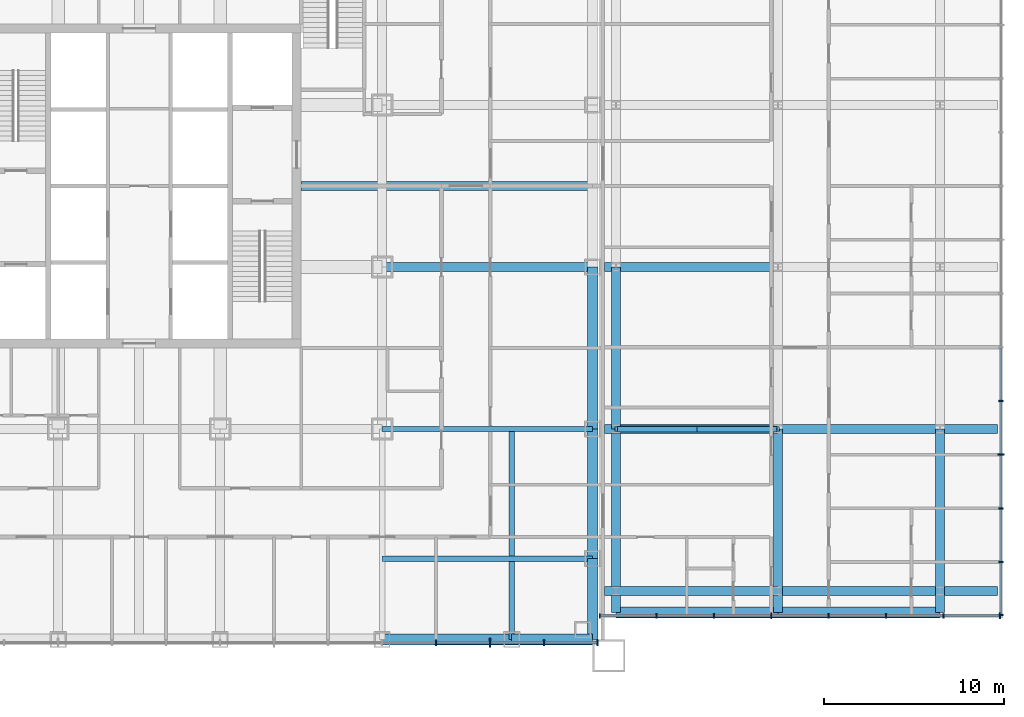
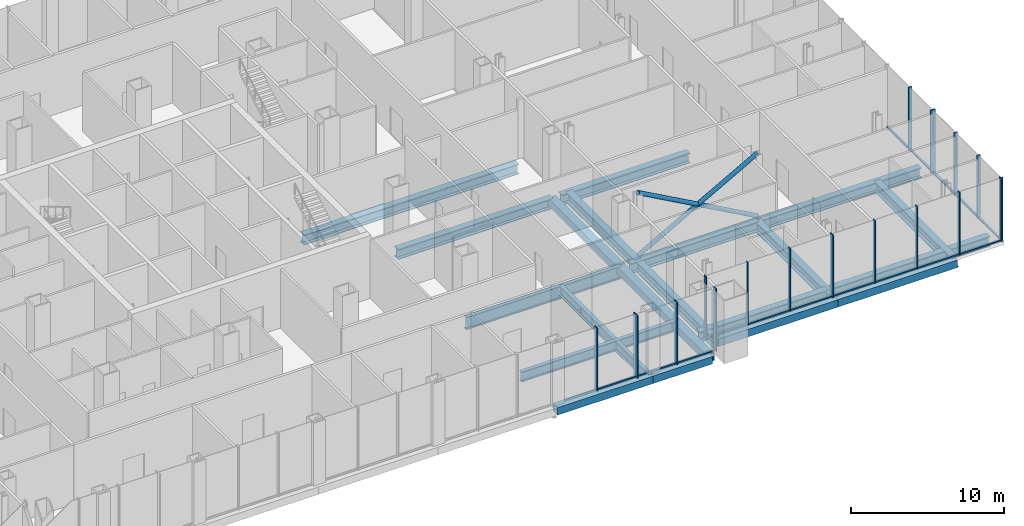
# One storey, part 7 of 25: 34 members, 21 beams, 3 elements without a shape of their own.
"""IFC4 building model written with IfcOpenShell, lengths in metres."""

import ifcopenshell
import ifcopenshell.guid

model = None  # the IFC model being written
_history = None  # IfcOwnerHistory: only IFC2X3 demands one
_inside = {}  # id of a spatial element -> (the spatial element, [elements in it])
_under = {}  # id of a project, library or spatial element -> (it, [spatial elements below it])
_declared = {}  # id of a project -> (the project, [libraries it declares])
_typed = {}  # id of a type object -> (the type object, [elements of that type])
_made_of = {}  # id of a material, layer set ... -> (it, [elements and type objects made of it])


def new_model(schema):
    """Start an empty IFC model of exactly this schema.

    Asked for "IFC4X3", IfcOpenShell would pick the latest addendum, in which some entities
    have other attributes; the version numbers below select the first issue.
    IFC2X3 requires an IfcOwnerHistory on every rooted entity: one is made here for all.
    """
    global model, _history
    if schema == "IFC4X3":
        model = ifcopenshell.file(schema_version=(4, 3, 0, 0))
    else:
        model = ifcopenshell.file(schema=schema)
    _inside.clear()
    _under.clear()
    _declared.clear()
    _typed.clear()
    _made_of.clear()
    _history = None
    if model.schema == "IFC2X3":
        org = make("IfcOrganization", Name="unknown")
        user = make(
            "IfcPersonAndOrganization",
            ThePerson=make("IfcPerson", FamilyName="unknown"),
            TheOrganization=org,
        )
        app = make(
            "IfcApplication",
            ApplicationDeveloper=org,
            Version="unknown",
            ApplicationFullName="unknown",
            ApplicationIdentifier="unknown",
        )
        _history = make(
            "IfcOwnerHistory",
            OwningUser=user,
            OwningApplication=app,
            ChangeAction="ADDED",
            CreationDate=0,
        )
    return model


def make(cls, **values):
    """One entity of the class cls with the attributes given. An attribute that is None is left unset."""
    return model.create_entity(
        cls, **{name: value for name, value in values.items() if value is not None}
    )


def rooted(cls, **values):
    """An entity with a GlobalId (a new one), such as an element, a storey or a relation."""
    return make(cls, GlobalId=ifcopenshell.guid.new(), OwnerHistory=_history, **values)


def si_unit(unit_type, name, prefix=None):
    """IfcSIUnit, for example si_unit("LENGTHUNIT", "METRE", prefix="MILLI")."""
    return make("IfcSIUnit", UnitType=unit_type, Prefix=prefix, Name=name)


def assignment(units):
    """IfcUnitAssignment: the units of a project."""
    return None if units is None else make("IfcUnitAssignment", Units=units)


def point(xyz):
    """IfcCartesianPoint."""
    return None if xyz is None else make("IfcCartesianPoint", Coordinates=xyz)


def direction(xyz):
    """IfcDirection."""
    return None if xyz is None else make("IfcDirection", DirectionRatios=xyz)


def frame(location, z_axis=None, x_axis=None):
    """IfcAxis2Placement3D, a coordinate frame: its origin and axes. An axis left out is left unset."""
    return make(
        "IfcAxis2Placement3D",
        Location=point(location),
        Axis=direction(z_axis),
        RefDirection=direction(x_axis),
    )


def frame_2d(location, x_axis=None):
    """IfcAxis2Placement2D, a coordinate frame in the plane: its origin and x axis."""
    return make(
        "IfcAxis2Placement2D", Location=point(location), RefDirection=direction(x_axis)
    )


def origin():
    """The frame at (0, 0, 0) with its axes left unset."""
    return frame((0.0, 0.0, 0.0))


def origin_2d():
    """The frame at (0, 0) in the plane with its x axis left unset."""
    return frame_2d((0.0, 0.0))


def place(relative_to, where):
    """IfcLocalPlacement: puts the frame where relative to a parent placement (None: the world)."""
    return make(
        "IfcLocalPlacement", PlacementRelTo=relative_to, RelativePlacement=where
    )


def context(
    kind, dimensions, precision=None, world=None, true_north=None, identifier=None
):
    """IfcGeometricRepresentationContext, for example the 3D "Model" context."""
    return make(
        "IfcGeometricRepresentationContext",
        ContextIdentifier=identifier,
        ContextType=kind,
        CoordinateSpaceDimension=dimensions,
        Precision=precision,
        WorldCoordinateSystem=world,
        TrueNorth=true_north,
    )


def subcontext(parent, identifier, kind, view, scale=None):
    """IfcGeometricRepresentationSubContext, for example "Body" below "Model"."""
    return make(
        "IfcGeometricRepresentationSubContext",
        ContextIdentifier=identifier,
        ContextType=kind,
        ParentContext=parent,
        TargetScale=scale,
        TargetView=view,
    )


def project(units=None, contexts=None):
    """IfcProject with its units and contexts."""
    return rooted(
        "IfcProject",
        Name="project",
        RepresentationContexts=contexts,
        UnitsInContext=assignment(units),
    )


def spatial(cls, under=None, at=None, **own):
    """A site, building, storey or space (cls), placed at a placement, below another one or the project."""
    s = rooted(cls, ObjectPlacement=at, **own)
    if under is not None:
        _under.setdefault(under.id(), (under, []))[1].append(s)
    return s


def profile(cls, at=None, kind="AREA", **sizes):
    """A parametric profile (cls). Its sizes go by their IFC names, for example OverallWidth=200.0."""
    return make(cls, ProfileType=kind, Position=at, **sizes)


def rectangle(**sizes):
    """IfcRectangleProfileDef."""
    return profile("IfcRectangleProfileDef", **sizes)


def hollow_rectangle(**sizes):
    """IfcRectangleHollowProfileDef."""
    return profile("IfcRectangleHollowProfileDef", **sizes)


def hollow_circle(**sizes):
    """IfcCircleHollowProfileDef."""
    return profile("IfcCircleHollowProfileDef", **sizes)


def i_section(**sizes):
    """IfcIShapeProfileDef."""
    return profile("IfcIShapeProfileDef", **sizes)


def extrude(swept, where, along, depth):
    """IfcExtrudedAreaSolid: the profile swept, set in the frame where, extruded along a direction by depth."""
    return make(
        "IfcExtrudedAreaSolid",
        SweptArea=swept,
        Position=where,
        ExtrudedDirection=direction(along),
        Depth=depth,
    )


def shape(context_of_items, identifier, shape_type, items):
    """IfcShapeRepresentation: the items that make up one representation, for example the "Body"."""
    return make(
        "IfcShapeRepresentation",
        ContextOfItems=context_of_items,
        RepresentationIdentifier=identifier,
        RepresentationType=shape_type,
        Items=items,
    )


def material(Name=None, Category=None):
    """IfcMaterial."""
    return make("IfcMaterial", Name=Name, Category=Category)


def layer(
    of_material, thickness, ventilated=None, Name=None, Category=None, Priority=None
):
    """IfcMaterialLayer: one layer of a wall or slab, of a material (None: an air gap)."""
    return make(
        "IfcMaterialLayer",
        Material=of_material,
        LayerThickness=thickness,
        IsVentilated=ventilated,
        Name=Name,
        Category=Category,
        Priority=Priority,
    )


def layer_set(layers, Name=None):
    """IfcMaterialLayerSet."""
    return make("IfcMaterialLayerSet", MaterialLayers=layers, LayerSetName=Name)


def material_profile(
    of_material, cross_section, Name=None, Category=None, Priority=None
):
    """IfcMaterialProfile: a cross section and its material."""
    return make(
        "IfcMaterialProfile",
        Name=Name,
        Material=of_material,
        Profile=cross_section,
        Priority=Priority,
        Category=Category,
    )


def profile_set(profiles, Name=None, composite=None):
    """IfcMaterialProfileSet."""
    return make(
        "IfcMaterialProfileSet",
        Name=Name,
        MaterialProfiles=profiles,
        CompositeProfile=composite,
    )


def made_of(thing, what):
    """Note that an element or type object is made of a material, layer set ...; save() writes the relation."""
    if what is not None:
        _made_of.setdefault(what.id(), (what, []))[1].append(thing)
    return thing


def type_object(cls, material=None, **own):
    """A type object (cls), such as IfcWallType, which elements share."""
    return made_of(rooted(cls, **own), material)


def element(
    cls,
    number,
    at=None,
    inside=None,
    cuts=None,
    type_object=None,
    material=None,
    context=None,
    identifier="Body",
    shape_type=None,
    held_by="IfcProductDefinitionShape",
    body=None,
    shapes=None,
    **own,
):
    """One element of the class cls, such as IfcWall. Its Tag is "e" and its number.

    at: its placement. inside: the storey or other place that contains it. cuts: it is an
    opening in that element (IfcRelVoidsElement). A single representation is given by context,
    identifier, shape_type and body (its items); several are given by shapes. held_by: the class
    of the entity that holds the representations. save() writes the other relations.
    """
    e = rooted(cls, Tag="e%d" % number, ObjectPlacement=at, **own)
    if body is not None:
        shapes = [shape(context, identifier, shape_type, body)]
    if shapes is not None:
        e.Representation = make(held_by, Representations=shapes)
    if inside is not None:
        _inside.setdefault(inside.id(), (inside, []))[1].append(e)
    if cuts is not None:
        rooted(
            "IfcRelVoidsElement", RelatingBuildingElement=cuts, RelatedOpeningElement=e
        )
    if type_object is not None:
        _typed.setdefault(type_object.id(), (type_object, []))[1].append(e)
    return made_of(e, material)


def aggregate(whole, parts):
    """IfcRelAggregates: a whole, such as a stair, and the parts it consists of."""
    return rooted("IfcRelAggregates", RelatingObject=whole, RelatedObjects=parts)


def save(model, path):
    """Write the relations noted so far, then the file.

    IfcRelAggregates (storeys below a building ...), IfcRelContainedInSpatialStructure (elements
    in a storey), IfcRelDefinesByType, IfcRelAssociatesMaterial and IfcRelDeclares: one each for
    every whole, place, type object, material and project.
    """
    for whole, parts in _under.values():
        aggregate(whole, parts)
    for where, things in _inside.values():
        rooted(
            "IfcRelContainedInSpatialStructure",
            RelatedElements=things,
            RelatingStructure=where,
        )
    for kind, things in _typed.values():
        rooted("IfcRelDefinesByType", RelatedObjects=things, RelatingType=kind)
    for what, things in _made_of.values():
        rooted("IfcRelAssociatesMaterial", RelatedObjects=things, RelatingMaterial=what)
    for by, libraries in _declared.values():
        rooted("IfcRelDeclares", RelatingContext=by, RelatedDefinitions=libraries)
    model.write(path)


model = new_model("IFC4")

# Units and contexts
model_context = context("Model", 3, precision=1e-05, world=origin(), true_north=direction((0.0, 1.0)))
body_context = subcontext(model_context, "Body", "Model", "MODEL_VIEW")
ifc_project = project(units=[si_unit("LENGTHUNIT", "METRE"), si_unit("AREAUNIT", "SQUARE_METRE"), si_unit("VOLUMEUNIT", "CUBIC_METRE"), si_unit("PLANEANGLEUNIT", "RADIAN"), si_unit("MASSUNIT", "GRAM", prefix="KILO")], contexts=[model_context])

# Site, building, storey
site_placement = place(None, origin())
site = spatial("IfcSite", under=ifc_project, at=site_placement, CompositionType="ELEMENT")
building_placement = place(site_placement, origin())
building = spatial("IfcBuilding", under=site, at=building_placement, Name="Malebo Sky Hospital", CompositionType="ELEMENT")
storey_placement = place(building_placement, frame((0.0, 0.0, 6.0)))
storey = spatial("IfcBuildingStorey", under=building, at=storey_placement, Name="L01", CompositionType="ELEMENT", Elevation=6.0)

# Curtain wall, members
ifc_material_1 = material(Name="Anodised aluminium, natural silver", Category="aluminium")
ifc_layer_1 = layer(ifc_material_1, 0.25)
ifc_layer_set_1 = layer_set([ifc_layer_1], Name="PODIUM ENTRANCE BAY CURTAIN WALL")
curtain_wall_type_1 = type_object("IfcCurtainWallType", Name="PODIUM ENTRANCE BAY CURTAIN WALL", PredefinedType="NOTDEFINED", material=ifc_layer_set_1)
curtain_wall_1_placement = place(storey_placement, origin())
curtain_wall_1 = element("IfcCurtainWall", 1, at=curtain_wall_1_placement, inside=storey, type_object=curtain_wall_type_1, Name="BAY curtain wall BS", PredefinedType="NOTDEFINED")
ifc_material_profile_1 = material_profile(ifc_material_1, rectangle(XDim=0.14990234375, YDim=0.10009765625, at=origin_2d()), Name="ALUMINIUM TRANSOM 150x100")
ifc_profile_set_1 = profile_set([ifc_material_profile_1], Name="Anodised aluminium, natural silver")
member_type_1 = type_object("IfcMemberType", Name="ALUMINIUM TRANSOM 150x100", PredefinedType="USERDEFINED", material=ifc_profile_set_1)
member_1_placement = place(storey_placement, frame((76.53759765625, 36.625, 0.050048828125), z_axis=(1.0, 0.0, 0.0), x_axis=(0.0, 1.0, 0.0)))
member_1 = element("IfcMember", 2, at=member_1_placement, type_object=member_type_1, Name="Transom 15", ObjectType="TRANSOM", PredefinedType="USERDEFINED", context=body_context, shape_type="SweptSolid", body=[
    extrude(rectangle(XDim=0.14990234375, YDim=0.10009765625, at=origin_2d()), origin(), (0.0, 0.0, 1.0), 2.9248046875),
])
member_2_placement = place(storey_placement, frame((79.53759765625, 36.625, 0.050048828125), z_axis=(1.0, 0.0, 0.0), x_axis=(0.0, 1.0, 0.0)))
member_2 = element("IfcMember", 3, at=member_2_placement, type_object=member_type_1, Name="Transom 16", ObjectType="TRANSOM", PredefinedType="USERDEFINED", context=body_context, shape_type="SweptSolid", body=[
    extrude(rectangle(XDim=0.14990234375, YDim=0.10009765625, at=origin_2d()), origin(), (0.0, 0.0, 1.0), 2.9248046875),
])
member_3_placement = place(storey_placement, frame((82.53759765625, 36.625, 0.050048828125), z_axis=(1.0, 0.0, 0.0), x_axis=(0.0, 1.0, 0.0)))
member_3 = element("IfcMember", 4, at=member_3_placement, type_object=member_type_1, Name="Transom 17", ObjectType="TRANSOM", PredefinedType="USERDEFINED", context=body_context, shape_type="SweptSolid", body=[
    extrude(rectangle(XDim=0.14990234375, YDim=0.10009765625, at=origin_2d()), origin(), (0.0, 0.0, 1.0), 2.887451171875),
])

ifc_layer_2 = layer(ifc_material_1, 0.25)
ifc_layer_set_2 = layer_set([ifc_layer_2], Name="PODIUM CURTAIN WALL")
curtain_wall_type_2 = type_object("IfcCurtainWallType", Name="PODIUM CURTAIN WALL", PredefinedType="NOTDEFINED", material=ifc_layer_set_2)
curtain_wall_2_placement = place(storey_placement, origin())
curtain_wall_2 = element("IfcCurtainWall", 5, at=curtain_wall_2_placement, inside=storey, type_object=curtain_wall_type_2, Name="POD curtain wall ES", PredefinedType="NOTDEFINED")
member_4_placement = place(storey_placement, frame((85.625, 38.125, 0.050048828125), z_axis=(1.0, 0.0, 0.0), x_axis=(0.0, 1.0, 0.0)))
member_4 = element("IfcMember", 6, at=member_4_placement, type_object=member_type_1, Name="Transom 1", ObjectType="TRANSOM", PredefinedType="USERDEFINED", context=body_context, shape_type="SweptSolid", body=[
    extrude(rectangle(XDim=0.14990234375, YDim=0.10009765625, at=origin_2d()), origin(), (0.0, 0.0, 1.0), 3.076904296875),
])
member_5_placement = place(storey_placement, frame((88.77685546875, 38.125, 0.050048828125), z_axis=(1.0, 0.0, 0.0), x_axis=(0.0, 1.0, 0.0)))
member_5 = element("IfcMember", 7, at=member_5_placement, type_object=member_type_1, Name="Transom 2", ObjectType="TRANSOM", PredefinedType="USERDEFINED", context=body_context, shape_type="SweptSolid", body=[
    extrude(rectangle(XDim=0.14990234375, YDim=0.10009765625, at=origin_2d()), origin(), (0.0, 0.0, 1.0), 3.1142578125),
])
member_6_placement = place(storey_placement, frame((91.966064453125, 38.125, 0.050048828125), z_axis=(1.0, 0.0, 0.0), x_axis=(0.0, 1.0, 0.0)))
member_6 = element("IfcMember", 8, at=member_6_placement, type_object=member_type_1, Name="Transom 3", ObjectType="TRANSOM", PredefinedType="USERDEFINED", context=body_context, shape_type="SweptSolid", body=[
    extrude(rectangle(XDim=0.14990234375, YDim=0.10009765625, at=origin_2d()), origin(), (0.0, 0.0, 1.0), 3.1142578125),
])
member_7_placement = place(storey_placement, frame((95.155517578125, 38.125, 0.050048828125), z_axis=(1.0, 0.0, 0.0), x_axis=(0.0, 1.0, 0.0)))
member_7 = element("IfcMember", 9, at=member_7_placement, type_object=member_type_1, Name="Transom 4", ObjectType="TRANSOM", PredefinedType="USERDEFINED", context=body_context, shape_type="SweptSolid", body=[
    extrude(rectangle(XDim=0.14990234375, YDim=0.10009765625, at=origin_2d()), origin(), (0.0, 0.0, 1.0), 3.114013671875),
])
member_8_placement = place(storey_placement, frame((98.344482421875, 38.125, 0.050048828125), z_axis=(1.0, 0.0, 0.0), x_axis=(0.0, 1.0, 0.0)))
member_8 = element("IfcMember", 10, at=member_8_placement, type_object=member_type_1, Name="Transom 5", ObjectType="TRANSOM", PredefinedType="USERDEFINED", context=body_context, shape_type="SweptSolid", body=[
    extrude(rectangle(XDim=0.14990234375, YDim=0.10009765625, at=origin_2d()), origin(), (0.0, 0.0, 1.0), 3.114501953125),
])
member_9_placement = place(storey_placement, frame((101.533935546875, 38.125, 0.050048828125), z_axis=(1.0, 0.0, 0.0), x_axis=(0.0, 1.0, 0.0)))
member_9 = element("IfcMember", 11, at=member_9_placement, type_object=member_type_1, Name="Transom 6", ObjectType="TRANSOM", PredefinedType="USERDEFINED", context=body_context, shape_type="SweptSolid", body=[
    extrude(rectangle(XDim=0.14990234375, YDim=0.10009765625, at=origin_2d()), origin(), (0.0, 0.0, 1.0), 3.1142578125),
])
member_10_placement = place(storey_placement, frame((104.72314453125, 38.125, 0.050048828125), z_axis=(1.0, 0.0, 0.0), x_axis=(0.0, 1.0, 0.0)))
member_10 = element("IfcMember", 12, at=member_10_placement, type_object=member_type_1, Name="Transom 7", ObjectType="TRANSOM", PredefinedType="USERDEFINED", context=body_context, shape_type="SweptSolid", body=[
    extrude(rectangle(XDim=0.14990234375, YDim=0.10009765625, at=origin_2d()), origin(), (0.0, 0.0, 1.0), 3.076904296875),
])

curtain_wall_3_placement = place(storey_placement, origin())
curtain_wall_3 = element("IfcCurtainWall", 13, at=curtain_wall_3_placement, inside=storey, type_object=curtain_wall_type_2, Name="POD curtain wall EE", PredefinedType="NOTDEFINED")
member_11_placement = place(storey_placement, frame((107.875, 38.199951171875, 0.050048828125), z_axis=(0.0, 1.0, 0.0), x_axis=(-1.0, 0.0, 0.0)))
member_11 = element("IfcMember", 14, at=member_11_placement, type_object=member_type_1, Name="Transom 1", ObjectType="TRANSOM", PredefinedType="USERDEFINED", context=body_context, shape_type="SweptSolid", body=[
    extrude(rectangle(XDim=0.14990234375, YDim=0.10009765625, at=origin_2d()), origin(), (0.0, 0.0, 1.0), 2.8720703125),
])
member_12_placement = place(storey_placement, frame((107.875, 41.14697265625, 0.050048828125), z_axis=(0.0, 1.0, 0.0), x_axis=(-1.0, 0.0, 0.0)))
member_12 = element("IfcMember", 15, at=member_12_placement, type_object=member_type_1, Name="Transom 2", ObjectType="TRANSOM", PredefinedType="USERDEFINED", context=body_context, shape_type="SweptSolid", body=[
    extrude(rectangle(XDim=0.14990234375, YDim=0.10009765625, at=origin_2d()), origin(), (0.0, 0.0, 1.0), 2.909423828125),
])
member_13_placement = place(storey_placement, frame((107.875, 44.13134765625, 0.050048828125), z_axis=(0.0, 1.0, 0.0), x_axis=(-1.0, 0.0, 0.0)))
member_13 = element("IfcMember", 16, at=member_13_placement, type_object=member_type_1, Name="Transom 3", ObjectType="TRANSOM", PredefinedType="USERDEFINED", context=body_context, shape_type="SweptSolid", body=[
    extrude(rectangle(XDim=0.14990234375, YDim=0.10009765625, at=origin_2d()), origin(), (0.0, 0.0, 1.0), 2.9091796875),
])
member_14_placement = place(storey_placement, frame((107.875, 47.115478515625, 0.050048828125), z_axis=(0.0, 1.0, 0.0), x_axis=(-1.0, 0.0, 0.0)))
member_14 = element("IfcMember", 17, at=member_14_placement, type_object=member_type_1, Name="Transom 4", ObjectType="TRANSOM", PredefinedType="USERDEFINED", context=body_context, shape_type="SweptSolid", body=[
    extrude(rectangle(XDim=0.14990234375, YDim=0.10009765625, at=origin_2d()), origin(), (0.0, 0.0, 1.0), 2.909423828125),
])
member_15_placement = place(storey_placement, frame((107.875, 50.10009765625, 0.050048828125), z_axis=(0.0, 1.0, 0.0), x_axis=(-1.0, 0.0, 0.0)))
member_15 = element("IfcMember", 18, at=member_15_placement, type_object=member_type_1, Name="Transom 5", ObjectType="TRANSOM", PredefinedType="USERDEFINED", context=body_context, shape_type="SweptSolid", body=[
    extrude(rectangle(XDim=0.14990234375, YDim=0.10009765625, at=origin_2d()), origin(), (0.0, 0.0, 1.0), 2.909423828125),
])

# Member
ifc_material_profile_2 = material_profile(ifc_material_1, rectangle(XDim=0.074951171875, YDim=0.25, at=origin_2d()), Name="CW3 ALUMINIUM FIN MULLION 75x250")
ifc_profile_set_2 = profile_set([ifc_material_profile_2], Name="Anodised aluminium, natural silver")
member_type_2 = type_object("IfcMemberType", Name="CW3 ALUMINIUM FIN MULLION 75x250", PredefinedType="MULLION", material=ifc_profile_set_2)
member_16_placement = place(storey_placement, frame((85.58740234375, 38.125, 0.0), z_axis=(0.0, 0.0, 1.0), x_axis=(1.0, 0.0, 0.0)))
member_16 = element("IfcMember", 19, at=member_16_placement, type_object=member_type_2, Name="Fin mullion 1", PredefinedType="MULLION", context=body_context, shape_type="SweptSolid", body=[
    extrude(rectangle(XDim=0.074951171875, YDim=0.25, at=origin_2d()), origin(), (0.0, 0.0, 1.0), 5.0),
])

member_17_placement = place(storey_placement, frame((88.7392578125, 38.125, 0.0), z_axis=(0.0, 0.0, 1.0), x_axis=(1.0, 0.0, 0.0)))
member_17 = element("IfcMember", 20, at=member_17_placement, type_object=member_type_2, Name="Fin mullion 2", PredefinedType="MULLION", context=body_context, shape_type="SweptSolid", body=[
    extrude(rectangle(XDim=0.074951171875, YDim=0.25, at=origin_2d()), origin(), (0.0, 0.0, 1.0), 5.0),
])

member_18_placement = place(storey_placement, frame((91.9287109375, 38.125, 0.0), z_axis=(0.0, 0.0, 1.0), x_axis=(1.0, 0.0, 0.0)))
member_18 = element("IfcMember", 21, at=member_18_placement, type_object=member_type_2, Name="Fin mullion 3", PredefinedType="MULLION", context=body_context, shape_type="SweptSolid", body=[
    extrude(rectangle(XDim=0.074951171875, YDim=0.25, at=origin_2d()), origin(), (0.0, 0.0, 1.0), 5.0),
])

member_19_placement = place(storey_placement, frame((98.30712890625, 38.125, 0.0), z_axis=(0.0, 0.0, 1.0), x_axis=(1.0, 0.0, 0.0)))
member_19 = element("IfcMember", 22, at=member_19_placement, type_object=member_type_2, Name="Fin mullion 5", PredefinedType="MULLION", context=body_context, shape_type="SweptSolid", body=[
    extrude(rectangle(XDim=0.074951171875, YDim=0.25, at=origin_2d()), origin(), (0.0, 0.0, 1.0), 5.0),
])

member_20_placement = place(storey_placement, frame((101.496337890625, 38.125, 0.0), z_axis=(0.0, 0.0, 1.0), x_axis=(1.0, 0.0, 0.0)))
member_20 = element("IfcMember", 23, at=member_20_placement, type_object=member_type_2, Name="Fin mullion 6", PredefinedType="MULLION", context=body_context, shape_type="SweptSolid", body=[
    extrude(rectangle(XDim=0.074951171875, YDim=0.25, at=origin_2d()), origin(), (0.0, 0.0, 1.0), 5.0),
])

member_21_placement = place(storey_placement, frame((104.685791015625, 38.125, 0.0), z_axis=(0.0, 0.0, 1.0), x_axis=(1.0, 0.0, 0.0)))
member_21 = element("IfcMember", 24, at=member_21_placement, type_object=member_type_2, Name="Fin mullion 7", PredefinedType="MULLION", context=body_context, shape_type="SweptSolid", body=[
    extrude(rectangle(XDim=0.074951171875, YDim=0.25, at=origin_2d()), origin(), (0.0, 0.0, 1.0), 5.0),
])

member_22_placement = place(storey_placement, frame((107.875, 38.16259765625, 0.0), z_axis=(0.0, 0.0, 1.0), x_axis=(0.0, 1.0, 0.0)))
member_22 = element("IfcMember", 25, at=member_22_placement, type_object=member_type_2, Name="Fin mullion 1", PredefinedType="MULLION", context=body_context, shape_type="SweptSolid", body=[
    extrude(rectangle(XDim=0.074951171875, YDim=0.25, at=origin_2d()), origin(), (0.0, 0.0, 1.0), 5.0),
])

member_23_placement = place(storey_placement, frame((107.875, 41.109375, 0.0), z_axis=(0.0, 0.0, 1.0), x_axis=(0.0, 1.0, 0.0)))
member_23 = element("IfcMember", 26, at=member_23_placement, type_object=member_type_2, Name="Fin mullion 2", PredefinedType="MULLION", context=body_context, shape_type="SweptSolid", body=[
    extrude(rectangle(XDim=0.074951171875, YDim=0.25, at=origin_2d()), origin(), (0.0, 0.0, 1.0), 5.0),
])

member_24_placement = place(storey_placement, frame((107.875, 44.09375, 0.0), z_axis=(0.0, 0.0, 1.0), x_axis=(0.0, 1.0, 0.0)))
member_24 = element("IfcMember", 27, at=member_24_placement, type_object=member_type_2, Name="Fin mullion 3", PredefinedType="MULLION", context=body_context, shape_type="SweptSolid", body=[
    extrude(rectangle(XDim=0.074951171875, YDim=0.25, at=origin_2d()), origin(), (0.0, 0.0, 1.0), 5.0),
])

member_25_placement = place(storey_placement, frame((107.875, 50.0625, 0.0), z_axis=(0.0, 0.0, 1.0), x_axis=(0.0, 1.0, 0.0)))
member_25 = element("IfcMember", 28, at=member_25_placement, type_object=member_type_2, Name="Fin mullion 5", PredefinedType="MULLION", context=body_context, shape_type="SweptSolid", body=[
    extrude(rectangle(XDim=0.074951171875, YDim=0.25, at=origin_2d()), origin(), (0.0, 0.0, 1.0), 5.0),
])

ifc_material_profile_3 = material_profile(ifc_material_1, rectangle(XDim=0.074951171875, YDim=0.35009765625, at=origin_2d()), Name="CW3 ALUMINIUM FIN MULLION 75x350")
ifc_profile_set_3 = profile_set([ifc_material_profile_3], Name="Anodised aluminium, natural silver")
member_type_3 = type_object("IfcMemberType", Name="CW3 ALUMINIUM FIN MULLION 75x350", PredefinedType="MULLION", material=ifc_profile_set_3)
member_26_placement = place(storey_placement, frame((95.117919921875, 38.125, 0.0), z_axis=(0.0, 0.0, 1.0), x_axis=(1.0, 0.0, 0.0)))
member_26 = element("IfcMember", 29, at=member_26_placement, type_object=member_type_3, Name="Fin mullion 4", PredefinedType="MULLION", context=body_context, shape_type="SweptSolid", body=[
    extrude(rectangle(XDim=0.074951171875, YDim=0.35009765625, at=origin_2d()), origin(), (0.0, 0.0, 1.0), 5.0),
])

member_27_placement = place(storey_placement, frame((107.83740234375, 38.125, 0.0), z_axis=(0.0, 0.0, 1.0), x_axis=(1.0, 0.0, 0.0)))
member_27 = element("IfcMember", 30, at=member_27_placement, type_object=member_type_3, Name="Fin mullion 8", PredefinedType="MULLION", context=body_context, shape_type="SweptSolid", body=[
    extrude(rectangle(XDim=0.074951171875, YDim=0.35009765625, at=origin_2d()), origin(), (0.0, 0.0, 1.0), 5.0),
])

aggregate(curtain_wall_2, [member_16, member_17, member_18, member_26, member_19, member_20, member_21, member_27, member_4, member_5, member_6, member_7, member_8, member_9, member_10])

member_28_placement = place(storey_placement, frame((107.875, 47.078125, 0.0), z_axis=(0.0, 0.0, 1.0), x_axis=(0.0, 1.0, 0.0)))
member_28 = element("IfcMember", 31, at=member_28_placement, type_object=member_type_3, Name="Fin mullion 4", PredefinedType="MULLION", context=body_context, shape_type="SweptSolid", body=[
    extrude(rectangle(XDim=0.074951171875, YDim=0.35009765625, at=origin_2d()), origin(), (0.0, 0.0, 1.0), 5.0),
])

aggregate(curtain_wall_3, [member_22, member_23, member_24, member_28, member_25, member_11, member_12, member_13, member_14, member_15])

ifc_material_profile_4 = material_profile(ifc_material_1, rectangle(XDim=0.074951171875, YDim=0.35009765625, at=origin_2d()), Name="CW4 ALUMINIUM FIN MULLION 75x350")
ifc_profile_set_4 = profile_set([ifc_material_profile_4], Name="Anodised aluminium, natural silver")
member_type_4 = type_object("IfcMemberType", Name="CW4 ALUMINIUM FIN MULLION 75x350", PredefinedType="MULLION", material=ifc_profile_set_4)
member_29_placement = place(storey_placement, frame((76.5, 36.625, 0.0), z_axis=(0.0, 0.0, 1.0), x_axis=(1.0, 0.0, 0.0)))
member_29 = element("IfcMember", 32, at=member_29_placement, type_object=member_type_4, Name="Fin mullion 15", PredefinedType="MULLION", context=body_context, shape_type="SweptSolid", body=[
    extrude(rectangle(XDim=0.074951171875, YDim=0.35009765625, at=origin_2d()), origin(), (0.0, 0.0, 1.0), 5.0),
])

member_30_placement = place(storey_placement, frame((82.5, 36.625, 0.0), z_axis=(0.0, 0.0, 1.0), x_axis=(1.0, 0.0, 0.0)))
member_30 = element("IfcMember", 33, at=member_30_placement, type_object=member_type_4, Name="Fin mullion 17", PredefinedType="MULLION", context=body_context, shape_type="SweptSolid", body=[
    extrude(rectangle(XDim=0.074951171875, YDim=0.35009765625, at=origin_2d()), origin(), (0.0, 0.0, 1.0), 5.0),
])

member_31_placement = place(storey_placement, frame((85.46240234375, 36.625, 0.0), z_axis=(0.0, 0.0, 1.0), x_axis=(1.0, 0.0, 0.0)))
member_31 = element("IfcMember", 34, at=member_31_placement, type_object=member_type_4, Name="Fin mullion 18", PredefinedType="MULLION", context=body_context, shape_type="SweptSolid", body=[
    extrude(rectangle(XDim=0.074951171875, YDim=0.35009765625, at=origin_2d()), origin(), (0.0, 0.0, 1.0), 5.0),
])

ifc_material_profile_5 = material_profile(ifc_material_1, rectangle(XDim=0.074951171875, YDim=0.5, at=origin_2d()), Name="CW4 ALUMINIUM FIN MULLION 75x500")
ifc_profile_set_5 = profile_set([ifc_material_profile_5], Name="Anodised aluminium, natural silver")
member_type_5 = type_object("IfcMemberType", Name="CW4 ALUMINIUM FIN MULLION 75x500", PredefinedType="MULLION", material=ifc_profile_set_5)
member_32_placement = place(storey_placement, frame((79.5, 36.625, 0.0), z_axis=(0.0, 0.0, 1.0), x_axis=(1.0, 0.0, 0.0)))
member_32 = element("IfcMember", 35, at=member_32_placement, type_object=member_type_5, Name="Fin mullion 16", PredefinedType="MULLION", context=body_context, shape_type="SweptSolid", body=[
    extrude(rectangle(XDim=0.074951171875, YDim=0.5, at=origin_2d()), origin(), (0.0, 0.0, 1.0), 5.0),
])

aggregate(curtain_wall_1, [member_29, member_32, member_30, member_31, member_1, member_2, member_3])

# Beams
ifc_material_2 = material(Name="Steel S460", Category="steel")
ifc_material_profile_6 = material_profile(ifc_material_2, hollow_rectangle(XDim=0.60009765625, YDim=0.60009765625, WallThickness=0.0400390625, at=origin_2d()), Name="BOX 600x600x40")
ifc_profile_set_6 = profile_set([ifc_material_profile_6], Name="Steel S460")
beam_type_1 = type_object("IfcBeamType", Name="EDGE BEAM BOX 600x600x40", PredefinedType="BEAM", material=ifc_profile_set_6)
beam_1_placement = place(storey_placement, frame((85.199951171875, 36.800048828125, -0.60009765625), z_axis=(0.0, 1.0, 0.0), x_axis=(-1.0, 0.0, 0.0)))
element("IfcBeam", 36, at=beam_1_placement, inside=storey, type_object=beam_type_1, Name="Beam 031 L01", PredefinedType="BEAM", context=body_context, shape_type="SweptSolid", body=[
    extrude(hollow_rectangle(XDim=0.60009765625, YDim=0.60009765625, WallThickness=0.0400390625, at=origin_2d()), origin(), (0.0, 0.0, 1.0), 4.5),
])
beam_2_placement = place(storey_placement, frame((85.199951171875, 41.300048828125, -0.60009765625), z_axis=(0.0, 1.0, 0.0), x_axis=(-1.0, 0.0, 0.0)))
element("IfcBeam", 37, at=beam_2_placement, inside=storey, type_object=beam_type_1, Name="Beam 032 L01", PredefinedType="BEAM", context=body_context, shape_type="SweptSolid", body=[
    extrude(hollow_rectangle(XDim=0.60009765625, YDim=0.60009765625, WallThickness=0.0400390625, at=origin_2d()), origin(), (0.0, 0.0, 1.0), 7.199951171875),
])
beam_3_placement = place(storey_placement, frame((85.199951171875, 48.5, -0.60009765625), z_axis=(0.0, 1.0, 0.0), x_axis=(-1.0, 0.0, 0.0)))
element("IfcBeam", 38, at=beam_3_placement, inside=storey, type_object=beam_type_1, Name="Beam 033 L01", PredefinedType="BEAM", context=body_context, shape_type="SweptSolid", body=[
    extrude(hollow_rectangle(XDim=0.60009765625, YDim=0.60009765625, WallThickness=0.0400390625, at=origin_2d()), origin(), (0.0, 0.0, 1.0), 9.0),
])
beam_4_placement = place(storey_placement, frame((73.5, 36.800048828125, -0.60009765625), z_axis=(1.0, 0.0, 0.0), x_axis=(0.0, 1.0, 0.0)))
element("IfcBeam", 39, at=beam_4_placement, inside=storey, type_object=beam_type_1, Name="Beam 043 L01", PredefinedType="BEAM", context=body_context, shape_type="SweptSolid", body=[
    extrude(hollow_rectangle(XDim=0.60009765625, YDim=0.60009765625, WallThickness=0.0400390625, at=origin_2d()), origin(), (0.0, 0.0, 1.0), 7.199951171875),
])
beam_5_placement = place(storey_placement, frame((80.699951171875, 36.800048828125, -0.60009765625), z_axis=(1.0, 0.0, 0.0), x_axis=(0.0, 1.0, 0.0)))
element("IfcBeam", 40, at=beam_5_placement, inside=storey, type_object=beam_type_1, Name="Beam 044 L01", PredefinedType="BEAM", context=body_context, shape_type="SweptSolid", body=[
    extrude(hollow_rectangle(XDim=0.60009765625, YDim=0.60009765625, WallThickness=0.0400390625, at=origin_2d()), origin(), (0.0, 0.0, 1.0), 4.5),
])
for number, where, z_axis, x_axis, name in (
    (41, (86.5, 38.300048828125, -0.60009765625), (1.0, 0.0, 0.0), (0.0, 1.0, 0.0), "Beam E028 L01"),
    (42, (95.5, 38.300048828125, -0.60009765625), (1.0, 0.0, 0.0), (0.0, 1.0, 0.0), "Beam E029 L01"),
):
    element("IfcBeam", number, at=place(storey_placement, frame(where, z_axis=z_axis, x_axis=x_axis)), inside=storey, type_object=beam_type_1, Name=name, PredefinedType="BEAM", context=body_context, shape_type="SweptSolid", body=[
        extrude(hollow_rectangle(XDim=0.60009765625, YDim=0.60009765625, WallThickness=0.0400390625, at=origin_2d()), origin(), (0.0, 0.0, 1.0), 9.0),
    ])
ifc_material_3 = material(Name="Steel S355", Category="steel")
ifc_material_profile_7 = material_profile(ifc_material_3, i_section(OverallWidth=0.300048828125, OverallDepth=0.800048828125, WebThickness=0.017578125, FlangeThickness=0.032958984375, FilletRadius=0.030029296875, at=origin_2d()), Name="HEB 800")
ifc_profile_set_7 = profile_set([ifc_material_profile_7], Name="Steel S355")
beam_type_2 = type_object("IfcBeamType", Name="FLOOR BEAM HEB 800", PredefinedType="BEAM", material=ifc_profile_set_7)
for number, where, z_axis, x_axis, name in (
    (43, (80.699951171875, 36.800048828125, -0.699951171875), (0.0, 1.0, 0.0), (-1.0, 0.0, 0.0), "Beam 029 L01"),
    (44, (73.5, 41.300048828125, -0.699951171875), (1.0, 0.0, 0.0), (0.0, 1.0, 0.0), "Beam 046 L01"),
):
    element("IfcBeam", number, at=place(storey_placement, frame(where, z_axis=z_axis, x_axis=x_axis)), inside=storey, type_object=beam_type_2, Name=name, PredefinedType="BEAM", context=body_context, shape_type="SweptSolid", body=[
        extrude(i_section(OverallWidth=0.300048828125, OverallDepth=0.800048828125, WebThickness=0.017578125, FlangeThickness=0.032958984375, FilletRadius=0.030029296875, at=origin_2d()), origin(), (0.0, 0.0, 1.0), 11.699951171875),
    ])
ifc_material_profile_8 = material_profile(ifc_material_3, i_section(OverallWidth=0.5, OverallDepth=0.800048828125, WebThickness=0.030029296875, FlangeThickness=0.050048828125, at=origin_2d()), Name="PG 800x500x30x50")
ifc_profile_set_8 = profile_set([ifc_material_profile_8], Name="Steel S355")
beam_type_3 = type_object("IfcBeamType", Name="FLOOR BEAM PG 800x500x30x50", PredefinedType="BEAM", material=ifc_profile_set_8)
beam_6_placement = place(storey_placement, frame((73.5, 57.5, -0.699951171875), z_axis=(1.0, 0.0, 0.0), x_axis=(0.0, 1.0, 0.0)))
element("IfcBeam", 45, at=beam_6_placement, inside=storey, type_object=beam_type_3, Name="Beam 055 L01", PredefinedType="BEAM", context=body_context, shape_type="SweptSolid", body=[
    extrude(i_section(OverallWidth=0.5, OverallDepth=0.800048828125, WebThickness=0.030029296875, FlangeThickness=0.050048828125, at=origin_2d()), origin(), (0.0, 0.0, 1.0), 11.699951171875),
])
beam_7_placement = place(storey_placement, frame((69.0, 62.0, -0.699951171875), z_axis=(1.0, 0.0, 0.0), x_axis=(0.0, 1.0, 0.0)))
element("IfcBeam", 46, at=beam_7_placement, inside=storey, type_object=beam_type_3, Name="Beam 057 L01", PredefinedType="BEAM", context=body_context, shape_type="SweptSolid", body=[
    extrude(i_section(OverallWidth=0.5, OverallDepth=0.800048828125, WebThickness=0.030029296875, FlangeThickness=0.050048828125, at=origin_2d()), origin(), (0.0, 0.0, 1.0), 16.199951171875),
])
beam_8_placement = place(storey_placement, frame((86.5, 38.300048828125, -0.699951171875), z_axis=(0.0, 1.0, 0.0), x_axis=(-1.0, 0.0, 0.0)))
element("IfcBeam", 47, at=beam_8_placement, inside=storey, type_object=beam_type_3, Name="Beam E001 L01", PredefinedType="BEAM", context=body_context, shape_type="SweptSolid", body=[
    extrude(i_section(OverallWidth=0.5, OverallDepth=0.800048828125, WebThickness=0.030029296875, FlangeThickness=0.050048828125, at=origin_2d()), origin(), (0.0, 0.0, 1.0), 10.199951171875),
])
beam_9_placement = place(storey_placement, frame((86.5, 48.5, -0.699951171875), z_axis=(0.0, 1.0, 0.0), x_axis=(-1.0, 0.0, 0.0)))
element("IfcBeam", 48, at=beam_9_placement, inside=storey, type_object=beam_type_3, Name="Beam E002 L01", PredefinedType="BEAM", context=body_context, shape_type="SweptSolid", body=[
    extrude(i_section(OverallWidth=0.5, OverallDepth=0.800048828125, WebThickness=0.030029296875, FlangeThickness=0.050048828125, at=origin_2d()), origin(), (0.0, 0.0, 1.0), 9.0),
])
for number, where, z_axis, x_axis, name in (
    (49, (95.5, 38.300048828125, -0.699951171875), (0.0, 1.0, 0.0), (-1.0, 0.0, 0.0), "Beam E006 L01"),
    (50, (104.5, 38.300048828125, -0.699951171875), (0.0, 1.0, 0.0), (-1.0, 0.0, 0.0), "Beam E011 L01"),
):
    element("IfcBeam", number, at=place(storey_placement, frame(where, z_axis=z_axis, x_axis=x_axis)), inside=storey, type_object=beam_type_3, Name=name, PredefinedType="BEAM", context=body_context, shape_type="SweptSolid", body=[
        extrude(i_section(OverallWidth=0.5, OverallDepth=0.800048828125, WebThickness=0.030029296875, FlangeThickness=0.050048828125, at=origin_2d()), origin(), (0.0, 0.0, 1.0), 10.199951171875),
    ])
beam_10_placement = place(storey_placement, frame((85.85009765625, 39.5, -0.699951171875), z_axis=(1.0, 0.0, 0.0), x_axis=(0.0, 1.0, 0.0)))
element("IfcBeam", 51, at=beam_10_placement, inside=storey, type_object=beam_type_3, Name="Beam E016 L01", PredefinedType="BEAM", context=body_context, shape_type="SweptSolid", body=[
    extrude(i_section(OverallWidth=0.5, OverallDepth=0.800048828125, WebThickness=0.030029296875, FlangeThickness=0.050048828125, at=origin_2d()), origin(), (0.0, 0.0, 1.0), 9.64990234375),
])
beam_11_placement = place(storey_placement, frame((95.5, 39.5, -0.699951171875), z_axis=(1.0, 0.0, 0.0), x_axis=(0.0, 1.0, 0.0)))
element("IfcBeam", 52, at=beam_11_placement, inside=storey, type_object=beam_type_3, Name="Beam E017 L01", PredefinedType="BEAM", context=body_context, shape_type="SweptSolid", body=[
    extrude(i_section(OverallWidth=0.5, OverallDepth=0.800048828125, WebThickness=0.030029296875, FlangeThickness=0.050048828125, at=origin_2d()), origin(), (0.0, 0.0, 1.0), 12.199951171875),
])
beam_12_placement = place(storey_placement, frame((85.85009765625, 48.5, -0.699951171875), z_axis=(1.0, 0.0, 0.0), x_axis=(0.0, 1.0, 0.0)))
element("IfcBeam", 53, at=beam_12_placement, inside=storey, type_object=beam_type_3, Name="Beam E018 L01", PredefinedType="BEAM", context=body_context, shape_type="SweptSolid", body=[
    extrude(i_section(OverallWidth=0.5, OverallDepth=0.800048828125, WebThickness=0.030029296875, FlangeThickness=0.050048828125, at=origin_2d()), origin(), (0.0, 0.0, 1.0), 9.64990234375),
])
beam_13_placement = place(storey_placement, frame((95.5, 48.5, -0.699951171875), z_axis=(1.0, 0.0, 0.0), x_axis=(0.0, 1.0, 0.0)))
element("IfcBeam", 54, at=beam_13_placement, inside=storey, type_object=beam_type_3, Name="Beam E019 L01", PredefinedType="BEAM", context=body_context, shape_type="SweptSolid", body=[
    extrude(i_section(OverallWidth=0.5, OverallDepth=0.800048828125, WebThickness=0.030029296875, FlangeThickness=0.050048828125, at=origin_2d()), origin(), (0.0, 0.0, 1.0), 12.199951171875),
])
beam_14_placement = place(storey_placement, frame((85.85009765625, 57.5, -0.699951171875), z_axis=(1.0, 0.0, 0.0), x_axis=(0.0, 1.0, 0.0)))
element("IfcBeam", 55, at=beam_14_placement, inside=storey, type_object=beam_type_3, Name="Beam E020 L01", PredefinedType="BEAM", context=body_context, shape_type="SweptSolid", body=[
    extrude(i_section(OverallWidth=0.5, OverallDepth=0.800048828125, WebThickness=0.030029296875, FlangeThickness=0.050048828125, at=origin_2d()), origin(), (0.0, 0.0, 1.0), 9.64990234375),
])
ifc_material_profile_9 = material_profile(ifc_material_3, i_section(OverallWidth=0.300048828125, OverallDepth=1.0, WebThickness=0.01904296875, FlangeThickness=0.035888671875, FilletRadius=0.030029296875, at=origin_2d()), Name="HEB 1000")
ifc_profile_set_9 = profile_set([ifc_material_profile_9], Name="Steel S355")
beam_type_4 = type_object("IfcBeamType", Name="FLOOR GIRDER HEB 1000", PredefinedType="BEAM", material=ifc_profile_set_9)
beam_15_placement = place(storey_placement, frame((73.5, 48.5, -0.800048828125), z_axis=(1.0, 0.0, 0.0), x_axis=(0.0, 1.0, 0.0)))
element("IfcBeam", 56, at=beam_15_placement, inside=storey, type_object=beam_type_4, Name="Beam 051 L01", PredefinedType="BEAM", context=body_context, shape_type="SweptSolid", body=[
    extrude(i_section(OverallWidth=0.300048828125, OverallDepth=1.0, WebThickness=0.01904296875, FlangeThickness=0.035888671875, FilletRadius=0.030029296875, at=origin_2d()), origin(), (0.0, 0.0, 1.0), 11.699951171875),
])

# Members
ifc_material_profile_10 = material_profile(ifc_material_2, hollow_circle(Radius=0.161865234375, WallThickness=0.012451171875, at=origin_2d()), Name="CHS 323.9x12.5")
ifc_profile_set_10 = profile_set([ifc_material_profile_10], Name="Steel S460")
member_type_6 = type_object("IfcMemberType", Name="WING BRACE CHS 323.9x12.5", PredefinedType="BRACE", material=ifc_profile_set_10)
for number, where, z_axis, x_axis, name in (
    (57, (86.5, 48.5, 0.0), (0.874157276122, 0.0, 0.485642931179), (0.0, 1.0, 0.0), "Wing brace E2.1 L01"),
    (58, (95.5, 48.5, 0.0), (-0.874157276122, 0.0, 0.485642931179), (0.0, -1.0, 0.0), "Wing brace E2.2 L01"),
):
    element("IfcMember", number, at=place(storey_placement, frame(where, z_axis=z_axis, x_axis=x_axis)), inside=storey, type_object=member_type_6, Name=name, PredefinedType="BRACE", context=body_context, shape_type="SweptSolid", body=[
        extrude(hollow_circle(Radius=0.161865234375, WallThickness=0.012451171875, at=origin_2d()), origin(), (0.0, 0.0, 1.0), 10.295654296875),
    ])

save(model, "model.ifc")
